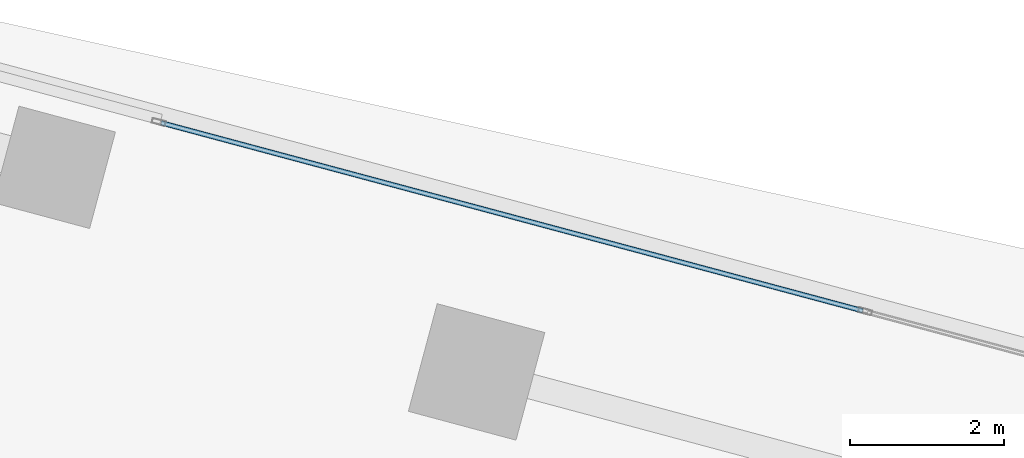
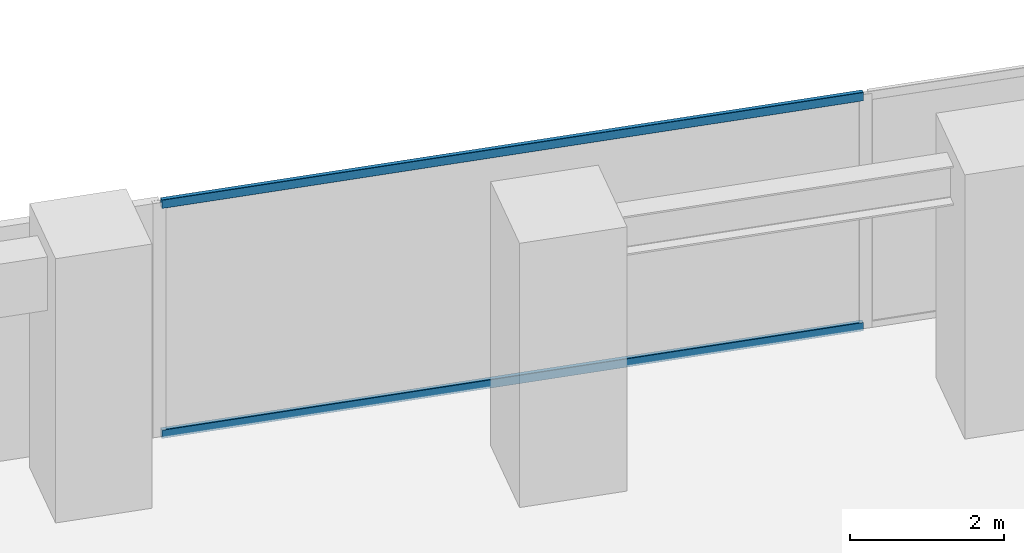
# One storey, part 17 of 26: 2 members, 1 element without a shape of its own.
"""IFC4 building model written with IfcOpenShell, lengths in metres."""

import ifcopenshell
import ifcopenshell.guid

model = None  # the IFC model being written
_history = None  # IfcOwnerHistory: only IFC2X3 demands one
_inside = {}  # id of a spatial element -> (the spatial element, [elements in it])
_under = {}  # id of a project, library or spatial element -> (it, [spatial elements below it])
_declared = {}  # id of a project -> (the project, [libraries it declares])
_typed = {}  # id of a type object -> (the type object, [elements of that type])
_made_of = {}  # id of a material, layer set ... -> (it, [elements and type objects made of it])


def new_model(schema):
    """Start an empty IFC model of exactly this schema.

    Asked for "IFC4X3", IfcOpenShell would pick the latest addendum, in which some entities
    have other attributes; the version numbers below select the first issue.
    IFC2X3 requires an IfcOwnerHistory on every rooted entity: one is made here for all.
    """
    global model, _history
    if schema == "IFC4X3":
        model = ifcopenshell.file(schema_version=(4, 3, 0, 0))
    else:
        model = ifcopenshell.file(schema=schema)
    _inside.clear()
    _under.clear()
    _declared.clear()
    _typed.clear()
    _made_of.clear()
    _history = None
    if model.schema == "IFC2X3":
        org = make("IfcOrganization", Name="unknown")
        user = make(
            "IfcPersonAndOrganization",
            ThePerson=make("IfcPerson", FamilyName="unknown"),
            TheOrganization=org,
        )
        app = make(
            "IfcApplication",
            ApplicationDeveloper=org,
            Version="unknown",
            ApplicationFullName="unknown",
            ApplicationIdentifier="unknown",
        )
        _history = make(
            "IfcOwnerHistory",
            OwningUser=user,
            OwningApplication=app,
            ChangeAction="ADDED",
            CreationDate=0,
        )
    return model


def make(cls, **values):
    """One entity of the class cls with the attributes given. An attribute that is None is left unset."""
    return model.create_entity(
        cls, **{name: value for name, value in values.items() if value is not None}
    )


def rooted(cls, **values):
    """An entity with a GlobalId (a new one), such as an element, a storey or a relation."""
    return make(cls, GlobalId=ifcopenshell.guid.new(), OwnerHistory=_history, **values)


def si_unit(unit_type, name, prefix=None):
    """IfcSIUnit, for example si_unit("LENGTHUNIT", "METRE", prefix="MILLI")."""
    return make("IfcSIUnit", UnitType=unit_type, Prefix=prefix, Name=name)


def assignment(units):
    """IfcUnitAssignment: the units of a project."""
    return None if units is None else make("IfcUnitAssignment", Units=units)


def point(xyz):
    """IfcCartesianPoint."""
    return None if xyz is None else make("IfcCartesianPoint", Coordinates=xyz)


def direction(xyz):
    """IfcDirection."""
    return None if xyz is None else make("IfcDirection", DirectionRatios=xyz)


def frame(location, z_axis=None, x_axis=None):
    """IfcAxis2Placement3D, a coordinate frame: its origin and axes. An axis left out is left unset."""
    return make(
        "IfcAxis2Placement3D",
        Location=point(location),
        Axis=direction(z_axis),
        RefDirection=direction(x_axis),
    )


def frame_2d(location, x_axis=None):
    """IfcAxis2Placement2D, a coordinate frame in the plane: its origin and x axis."""
    return make(
        "IfcAxis2Placement2D", Location=point(location), RefDirection=direction(x_axis)
    )


def origin():
    """The frame at (0, 0, 0) with its axes left unset."""
    return frame((0.0, 0.0, 0.0))


def origin_2d():
    """The frame at (0, 0) in the plane with its x axis left unset."""
    return frame_2d((0.0, 0.0))


def place(relative_to, where):
    """IfcLocalPlacement: puts the frame where relative to a parent placement (None: the world)."""
    return make(
        "IfcLocalPlacement", PlacementRelTo=relative_to, RelativePlacement=where
    )


def context(
    kind, dimensions, precision=None, world=None, true_north=None, identifier=None
):
    """IfcGeometricRepresentationContext, for example the 3D "Model" context."""
    return make(
        "IfcGeometricRepresentationContext",
        ContextIdentifier=identifier,
        ContextType=kind,
        CoordinateSpaceDimension=dimensions,
        Precision=precision,
        WorldCoordinateSystem=world,
        TrueNorth=true_north,
    )


def subcontext(parent, identifier, kind, view, scale=None):
    """IfcGeometricRepresentationSubContext, for example "Body" below "Model"."""
    return make(
        "IfcGeometricRepresentationSubContext",
        ContextIdentifier=identifier,
        ContextType=kind,
        ParentContext=parent,
        TargetScale=scale,
        TargetView=view,
    )


def project(units=None, contexts=None):
    """IfcProject with its units and contexts."""
    return rooted(
        "IfcProject",
        Name="project",
        RepresentationContexts=contexts,
        UnitsInContext=assignment(units),
    )


def spatial(cls, under=None, at=None, **own):
    """A site, building, storey or space (cls), placed at a placement, below another one or the project."""
    s = rooted(cls, ObjectPlacement=at, **own)
    if under is not None:
        _under.setdefault(under.id(), (under, []))[1].append(s)
    return s


def profile(cls, at=None, kind="AREA", **sizes):
    """A parametric profile (cls). Its sizes go by their IFC names, for example OverallWidth=200.0."""
    return make(cls, ProfileType=kind, Position=at, **sizes)


def hollow_rectangle(**sizes):
    """IfcRectangleHollowProfileDef."""
    return profile("IfcRectangleHollowProfileDef", **sizes)


def extrude(swept, where, along, depth):
    """IfcExtrudedAreaSolid: the profile swept, set in the frame where, extruded along a direction by depth."""
    return make(
        "IfcExtrudedAreaSolid",
        SweptArea=swept,
        Position=where,
        ExtrudedDirection=direction(along),
        Depth=depth,
    )


def shape(context_of_items, identifier, shape_type, items):
    """IfcShapeRepresentation: the items that make up one representation, for example the "Body"."""
    return make(
        "IfcShapeRepresentation",
        ContextOfItems=context_of_items,
        RepresentationIdentifier=identifier,
        RepresentationType=shape_type,
        Items=items,
    )


def source(mapping_origin, context_of_items, identifier, shape_type, items):
    """IfcRepresentationMap: a shape defined once, which mapped items show again and again."""
    return make(
        "IfcRepresentationMap",
        MappingOrigin=mapping_origin,
        MappedRepresentation=shape(context_of_items, identifier, shape_type, items),
    )


def transform(
    local_origin,
    x_axis=None,
    y_axis=None,
    z_axis=None,
    scale=None,
    scale2=None,
    scale3=None,
    uniform=True,
):
    """IfcCartesianTransformationOperator3D, or its non-uniform kind. x_axis, y_axis, z_axis: its Axis1, 2, 3."""
    if uniform:
        return make(
            "IfcCartesianTransformationOperator3D",
            Axis1=direction(x_axis),
            Axis2=direction(y_axis),
            LocalOrigin=point(local_origin),
            Scale=scale,
            Axis3=direction(z_axis),
        )
    return make(
        "IfcCartesianTransformationOperator3DnonUniform",
        Axis1=direction(x_axis),
        Axis2=direction(y_axis),
        LocalOrigin=point(local_origin),
        Scale=scale,
        Axis3=direction(z_axis),
        Scale2=scale2,
        Scale3=scale3,
    )


def mapped(mapping_source, mapping_target):
    """IfcMappedItem: shows the shape of a source again, moved by a transform."""
    return make(
        "IfcMappedItem", MappingSource=mapping_source, MappingTarget=mapping_target
    )


def material(Name=None, Category=None):
    """IfcMaterial."""
    return make("IfcMaterial", Name=Name, Category=Category)


def material_profile(
    of_material, cross_section, Name=None, Category=None, Priority=None
):
    """IfcMaterialProfile: a cross section and its material."""
    return make(
        "IfcMaterialProfile",
        Name=Name,
        Material=of_material,
        Profile=cross_section,
        Priority=Priority,
        Category=Category,
    )


def profile_set(profiles, Name=None, composite=None):
    """IfcMaterialProfileSet."""
    return make(
        "IfcMaterialProfileSet",
        Name=Name,
        MaterialProfiles=profiles,
        CompositeProfile=composite,
    )


def made_of(thing, what):
    """Note that an element or type object is made of a material, layer set ...; save() writes the relation."""
    if what is not None:
        _made_of.setdefault(what.id(), (what, []))[1].append(thing)
    return thing


def type_object(cls, material=None, **own):
    """A type object (cls), such as IfcWallType, which elements share."""
    return made_of(rooted(cls, **own), material)


def element(
    cls,
    number,
    at=None,
    inside=None,
    cuts=None,
    type_object=None,
    material=None,
    context=None,
    identifier="Body",
    shape_type=None,
    held_by="IfcProductDefinitionShape",
    body=None,
    shapes=None,
    **own,
):
    """One element of the class cls, such as IfcWall. Its Tag is "e" and its number.

    at: its placement. inside: the storey or other place that contains it. cuts: it is an
    opening in that element (IfcRelVoidsElement). A single representation is given by context,
    identifier, shape_type and body (its items); several are given by shapes. held_by: the class
    of the entity that holds the representations. save() writes the other relations.
    """
    e = rooted(cls, Tag="e%d" % number, ObjectPlacement=at, **own)
    if body is not None:
        shapes = [shape(context, identifier, shape_type, body)]
    if shapes is not None:
        e.Representation = make(held_by, Representations=shapes)
    if inside is not None:
        _inside.setdefault(inside.id(), (inside, []))[1].append(e)
    if cuts is not None:
        rooted(
            "IfcRelVoidsElement", RelatingBuildingElement=cuts, RelatedOpeningElement=e
        )
    if type_object is not None:
        _typed.setdefault(type_object.id(), (type_object, []))[1].append(e)
    return made_of(e, material)


def aggregate(whole, parts):
    """IfcRelAggregates: a whole, such as a stair, and the parts it consists of."""
    return rooted("IfcRelAggregates", RelatingObject=whole, RelatedObjects=parts)


def save(model, path):
    """Write the relations noted so far, then the file.

    IfcRelAggregates (storeys below a building ...), IfcRelContainedInSpatialStructure (elements
    in a storey), IfcRelDefinesByType, IfcRelAssociatesMaterial and IfcRelDeclares: one each for
    every whole, place, type object, material and project.
    """
    for whole, parts in _under.values():
        aggregate(whole, parts)
    for where, things in _inside.values():
        rooted(
            "IfcRelContainedInSpatialStructure",
            RelatedElements=things,
            RelatingStructure=where,
        )
    for kind, things in _typed.values():
        rooted("IfcRelDefinesByType", RelatedObjects=things, RelatingType=kind)
    for what, things in _made_of.values():
        rooted("IfcRelAssociatesMaterial", RelatedObjects=things, RelatingMaterial=what)
    for by, libraries in _declared.values():
        rooted("IfcRelDeclares", RelatingContext=by, RelatedDefinitions=libraries)
    model.write(path)


model = new_model("IFC4")

# Units and contexts
model_context = context("Model", 3, precision=1e-05, world=origin(), true_north=direction((0.0, 1.0)))
body_context = subcontext(model_context, "Body", "Model", "MODEL_VIEW")
ifc_project = project(units=[si_unit("LENGTHUNIT", "METRE"), si_unit("AREAUNIT", "SQUARE_METRE"), si_unit("VOLUMEUNIT", "CUBIC_METRE"), si_unit("PLANEANGLEUNIT", "RADIAN"), si_unit("MASSUNIT", "GRAM", prefix="KILO")], contexts=[model_context])

# Site, building, storey
site_placement = place(None, origin())
site = spatial("IfcSite", under=ifc_project, at=site_placement, CompositionType="ELEMENT")
building_placement = place(site_placement, origin())
building = spatial("IfcBuilding", under=site, at=building_placement, Name="Torre Montelarca", CompositionType="ELEMENT")
storey_placement = place(building_placement, frame((0.0, 0.0, 100.0)))
storey = spatial("IfcBuildingStorey", under=building, at=storey_placement, Name="L22", CompositionType="ELEMENT", Elevation=100.0)

# Curtain wall, members
ifc_material_1 = material(Name="Insulated low-E laminated glass", Category="glass")
curtain_wall_type = type_object("IfcCurtainWallType", Name="CW-SYS-Z1", PredefinedType="USERDEFINED", material=ifc_material_1)
curtain_wall_placement = place(storey_placement, origin())
curtain_wall = element("IfcCurtainWall", 1, at=curtain_wall_placement, inside=storey, type_object=curtain_wall_type, Name="L22 Curtain Wall Run CW-T3-L22-E08-B1", ObjectType="UNITISED GLAZING", PredefinedType="USERDEFINED")
ifc_material_2 = material(Name="Anodised aluminium AA 6063-T6", Category="aluminium")
ifc_material_profile = material_profile(ifc_material_2, hollow_rectangle(XDim=0.06494140625, YDim=0.139892578125, WallThickness=0.00390625, InnerFilletRadius=0.00390625, OuterFilletRadius=0.008056640625, at=origin_2d()), Name="ALU65X140X4", Category="aluminium")
ifc_profile_set = profile_set([ifc_material_profile], Name="Anodised aluminium AA 6063-T6")
member_type = type_object("IfcMemberType", Name="CWT-ALU140", PredefinedType="USERDEFINED", material=ifc_profile_set)
shared_shape = source(origin(), body_context, "Body", "SweptSolid", [
    extrude(hollow_rectangle(XDim=0.06494140625, YDim=0.139892578125, WallThickness=0.00390625, InnerFilletRadius=0.00390625, OuterFilletRadius=0.008056640625, at=origin_2d()), origin(), (0.0, 0.0, 1.0), 9.454833984375),
])
member_1_placement = place(storey_placement, frame((49.951904296875, 41.01318359375, 0.032470703125), z_axis=(-0.965926958845, 0.258814818309, 0.0), x_axis=(-0.258814818309, -0.965926958845, 0.0)))
member_1 = element("IfcMember", 2, at=member_1_placement, type_object=member_type, Name="CW transom 2.1", ObjectType="TRANSOM", PredefinedType="USERDEFINED", context=body_context, shape_type="MappedRepresentation", body=[
    mapped(shared_shape, transform((0.0, 0.0, 0.0), scale=1.0)),
])
member_2_placement = place(storey_placement, frame((49.951904296875, 41.01318359375, 3.6875), z_axis=(-0.965926958845, 0.258814818309, 0.0), x_axis=(-0.258814818309, -0.965926958845, 0.0)))
member_2 = element("IfcMember", 3, at=member_2_placement, type_object=member_type, Name="CW transom 2.2", ObjectType="TRANSOM", PredefinedType="USERDEFINED", context=body_context, shape_type="MappedRepresentation", body=[
    mapped(shared_shape, transform((0.0, 0.0, 0.0), scale=1.0)),
])
aggregate(curtain_wall, [member_1, member_2])

save(model, "model.ifc")
